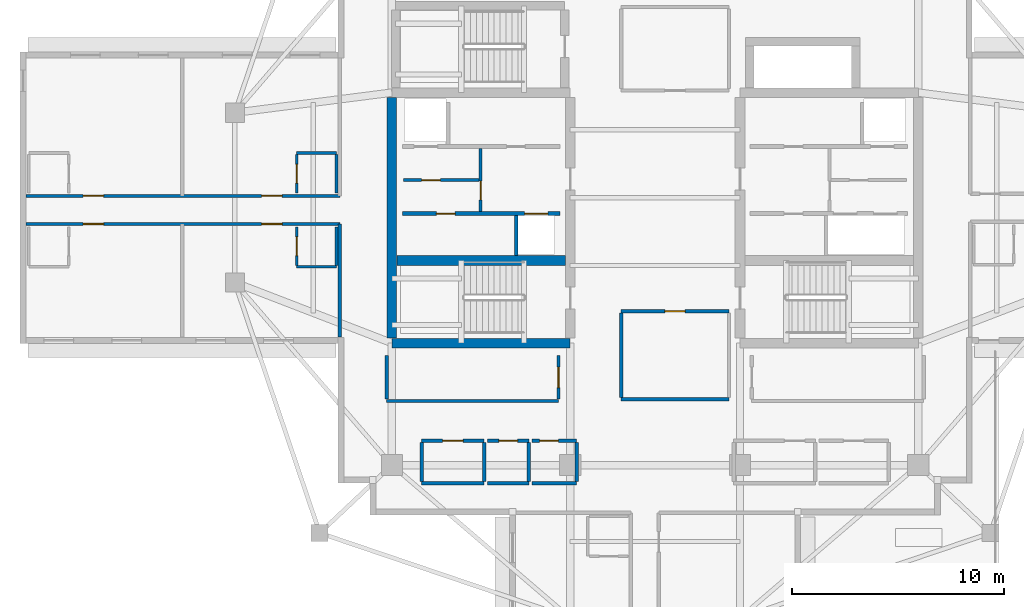
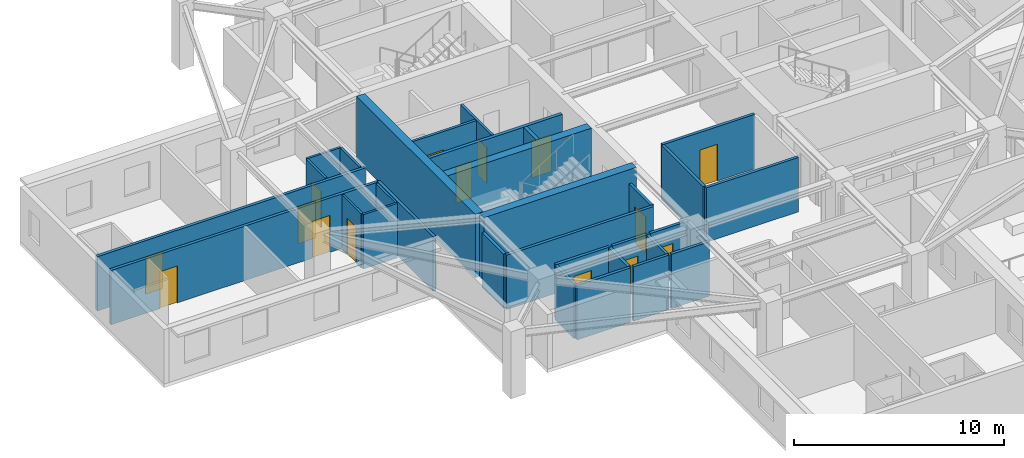
# One storey, part 4 of 13: 32 walls, 15 doors, 15 openings.
"""IFC4 building model written with IfcOpenShell, lengths in metres."""

from ifc_helpers import new_model, si_unit, direction, frame, frame_2d, origin, place, context, subcontext, project, spatial, rectangle, extrude, material, layer, layer_set, type_object, element, fill, save


model = new_model("IFC4")

# Units and contexts
model_context = context("Model", 3, precision=1e-05, world=origin(), true_north=direction((0.0, 1.0)))
body_context = subcontext(model_context, "Body", "Model", "MODEL_VIEW")
ifc_project = project(units=[si_unit("LENGTHUNIT", "METRE"), si_unit("AREAUNIT", "SQUARE_METRE"), si_unit("VOLUMEUNIT", "CUBIC_METRE"), si_unit("PLANEANGLEUNIT", "RADIAN"), si_unit("MASSUNIT", "GRAM", prefix="KILO")], contexts=[model_context])

# Site, building, storey
site_placement = place(None, origin())
site = spatial("IfcSite", under=ifc_project, at=site_placement, CompositionType="ELEMENT")
building_placement = place(site_placement, origin())
building = spatial("IfcBuilding", under=site, at=building_placement, Name="Qingluan Cross Belvedere", CompositionType="ELEMENT")
storey_placement = place(building_placement, frame((0.0, 0.0, 224.699951171875)))
storey = spatial("IfcBuildingStorey", under=building, at=storey_placement, Name="L56", CompositionType="ELEMENT", Elevation=224.699951171875)

# Walls
ifc_material_1 = material(Name="Concrete C50", Category="concrete")
ifc_layer_1 = layer(ifc_material_1, 0.449951171875, Name="CoreShearWall_450")
ifc_layer_set_1 = layer_set([ifc_layer_1], Name="Concrete C50")
wall_type_1 = type_object("IfcWallType", Name="CoreShearWall_450", PredefinedType="SHEAR", material=ifc_layer_set_1)
wall_1_placement = place(storey_placement, frame((-12.39990234375, -6.85009765625, 0.0), z_axis=(0.0, 0.0, 1.0), x_axis=(1.0, 0.0, 0.0)))
element("IfcWall", 1, at=wall_1_placement, inside=storey, type_object=wall_type_1, Name="Split core W shear wall L56-S", PredefinedType="SHEAR", context=body_context, shape_type="SweptSolid", body=[
    extrude(rectangle(XDim=8.39990234375, YDim=0.449951171875, at=frame_2d((4.199951171875, 0.0))), origin(), (0.0, 0.0, 1.0), 3.699951171875),
])
wall_2_placement = place(storey_placement, frame((-12.39990234375, -6.6201171875, 0.0), z_axis=(0.0, 0.0, 1.0), x_axis=(0.0, 1.0, 0.0)))
element("IfcWall", 2, at=wall_2_placement, inside=storey, type_object=wall_type_1, Name="Split core W shear wall L56-W", PredefinedType="SHEAR", context=body_context, shape_type="SweptSolid", body=[
    extrude(rectangle(XDim=11.340087890625, YDim=0.449951171875, at=frame_2d((5.669921875, 0.0))), origin(), (0.0, 0.0, 1.0), 3.699951171875),
])
wall_3_placement = place(storey_placement, frame((-12.169921875, -2.9599609375, 0.0), z_axis=(0.0, 0.0, 1.0), x_axis=(1.0, 0.0, 0.0)))
element("IfcWall", 3, at=wall_3_placement, inside=storey, type_object=wall_type_1, Name="Split core W shear wall L56-M", PredefinedType="SHEAR", context=body_context, shape_type="SweptSolid", body=[
    extrude(rectangle(XDim=7.93994140625, YDim=0.449951171875, at=frame_2d((3.969970703125, 0.0))), origin(), (0.0, 0.0, 1.0), 3.699951171875),
])

# Wall, opening, door
ifc_material_2 = material(Name="Gypsum plasterboard on steel stud acoustic partition", Category="steel")
ifc_layer_2 = layer(ifc_material_2, 0.159912109375, Name="CorridorPartition_160")
ifc_layer_set_2 = layer_set([ifc_layer_2], Name="Gypsum plasterboard on steel stud acoustic partition")
wall_type_2 = type_object("IfcWallType", Name="CorridorPartition_160", PredefinedType="PARTITIONING", material=ifc_layer_set_2)
wall_4_placement = place(storey_placement, frame((-11.85009765625, 0.830078125, 0.0), z_axis=(0.0, 0.0, 1.0), x_axis=(1.0, 0.0, 0.0)))
wall_4 = element("IfcWall", 4, at=wall_4_placement, inside=storey, type_object=wall_type_2, Name="Partition L56:w", PredefinedType="PARTITIONING", context=body_context, shape_type="SweptSolid", body=[
    extrude(rectangle(XDim=3.552001953125, YDim=0.139892578125, at=frame_2d((1.77587890625, 0.0))), origin(), (0.0, 0.0, 1.0), 3.170166015625),
])
opening_1_placement = place(wall_4_placement, frame((0.85009765625, 0.0, 0.0)))
opening_1 = element("IfcOpeningElement", 5, at=opening_1_placement, cuts=wall_4, Name="Opening FD-B10", PredefinedType="OPENING", context=body_context, shape_type="SweptSolid", body=[
    extrude(rectangle(XDim=0.8798828125, YDim=2.10009765625, at=frame_2d((0.43994140625, 1.050048828125))), frame((0.0, 0.079833984375, 0.0), z_axis=(0.0, -1.0, 0.0), x_axis=(1.0, 0.0, 0.0)), (0.0, 0.0, 1.0), 0.159912109375),
])
ifc_material_3 = material(Name="Steel Class B service fire door", Category="steel")
door_type_1 = type_object("IfcDoorType", Name="RiserServiceFireDoor_FDB", OperationType="NOTDEFINED", PredefinedType="DOOR", material=ifc_material_3)
door_1_placement = place(opening_1_placement, origin())
door_1 = element("IfcDoor", 6, at=door_1_placement, inside=storey, type_object=door_type_1, Name="Service closet inner door L56", OperationType="SINGLE_SWING_LEFT", OverallHeight=2.10009765625, OverallWidth=0.8798828125, PredefinedType="DOOR", context=body_context, shape_type="SweptSolid", body=[
    extrude(rectangle(XDim=0.8798828125, YDim=2.10009765625, at=frame_2d((0.43994140625, 1.050048828125))), frame((0.0, 0.02490234375, 0.0), z_axis=(0.0, -1.0, 0.0), x_axis=(1.0, 0.0, 0.0)), (0.0, 0.0, 1.0), 0.050048828125),
])
fill(opening_1, door_1)

# Wall
wall_5_placement = place(storey_placement, frame((-11.0, -13.449951171875, 0.0), z_axis=(0.0, 0.0, 1.0), x_axis=(1.0, 0.0, 0.0)))
element("IfcWall", 7, at=wall_5_placement, inside=storey, type_object=wall_type_2, Name="Partition L56:q_sw_occ:S", PredefinedType="PARTITIONING", context=body_context, shape_type="SweptSolid", body=[
    extrude(rectangle(XDim=2.949951171875, YDim=0.159912109375, at=frame_2d((1.47509765625, 0.0))), origin(), (0.0, 0.0, 1.0), 3.170166015625),
])

# Wall, opening, door
wall_6_placement = place(storey_placement, frame((-11.0, -11.449951171875, 0.0), z_axis=(0.0, 0.0, 1.0), x_axis=(1.0, 0.0, 0.0)))
wall_6 = element("IfcWall", 8, at=wall_6_placement, inside=storey, type_object=wall_type_2, Name="Partition L56:q_sw_occ:N", PredefinedType="PARTITIONING", context=body_context, shape_type="SweptSolid", body=[
    extrude(rectangle(XDim=2.949951171875, YDim=0.159912109375, at=frame_2d((1.47509765625, 0.0))), origin(), (0.0, 0.0, 1.0), 3.170166015625),
])
opening_2_placement = place(wall_6_placement, frame((0.9951171875, 0.0, 0.0)))
opening_2 = element("IfcOpeningElement", 9, at=opening_2_placement, cuts=wall_6, Name="Opening GD-10", PredefinedType="OPENING", context=body_context, shape_type="SweptSolid", body=[
    extrude(rectangle(XDim=0.9599609375, YDim=2.14990234375, at=frame_2d((0.47998046875, 1.074951171875))), frame((0.0, 0.08984375, 0.0), z_axis=(0.0, -1.0, 0.0), x_axis=(1.0, 0.0, 0.0)), (0.0, 0.0, 1.0), 0.179931640625),
])
ifc_material_4 = material(Name="Timber oak fire-rated acoustic guestroom door", Category="wood")
door_type_2 = type_object("IfcDoorType", Name="GuestEntryDoor_FD60", OperationType="NOTDEFINED", PredefinedType="DOOR", material=ifc_material_4)
door_2_placement = place(opening_2_placement, origin())
door_2 = element("IfcDoor", 10, at=door_2_placement, inside=storey, type_object=door_type_2, Name="Thermal spa suite L56 door", OperationType="SINGLE_SWING_RIGHT", OverallHeight=2.14990234375, OverallWidth=0.9599609375, PredefinedType="DOOR", context=body_context, shape_type="SweptSolid", body=[
    extrude(rectangle(XDim=0.9599609375, YDim=2.14990234375, at=frame_2d((0.47998046875, 1.074951171875))), frame((0.0, 0.02490234375, 0.0), z_axis=(0.0, -1.0, 0.0), x_axis=(1.0, 0.0, 0.0)), (0.0, 0.0, 1.0), 0.050048828125),
])
fill(opening_2, door_2)

# Walls
for number, where, z_axis, x_axis, name in (
    (11, (-11.0, -13.364990234375, 0.0), (0.0, 0.0, 1.0), (0.0, 1.0, 0.0), "Partition L56:q_sw_occ:W"),
    (12, (-8.050048828125, -13.364990234375, 0.0), (0.0, 0.0, 1.0), (0.0, 1.0, 0.0), "Partition L56:q_sw_occ:E"),
):
    element("IfcWall", number, at=place(storey_placement, frame(where, z_axis=z_axis, x_axis=x_axis)), inside=storey, type_object=wall_type_2, Name=name, PredefinedType="PARTITIONING", context=body_context, shape_type="SweptSolid", body=[
        extrude(rectangle(XDim=1.830078125, YDim=0.159912109375, at=frame_2d((0.9150390625, 0.0))), origin(), (0.0, 0.0, 1.0), 3.170166015625),
    ])
wall_7_placement = place(storey_placement, frame((-7.889892578125, -13.449951171875, 0.0), z_axis=(0.0, 0.0, 1.0), x_axis=(1.0, 0.0, 0.0)))
element("IfcWall", 13, at=wall_7_placement, inside=storey, type_object=wall_type_2, Name="Partition L56:hk_linen:S", PredefinedType="PARTITIONING", context=body_context, shape_type="SweptSolid", body=[
    extrude(rectangle(XDim=1.93994140625, YDim=0.159912109375, at=frame_2d((0.969970703125, 0.0))), origin(), (0.0, 0.0, 1.0), 3.170166015625),
])

# Wall, opening, door
wall_8_placement = place(storey_placement, frame((-7.889892578125, -11.449951171875, 0.0), z_axis=(0.0, 0.0, 1.0), x_axis=(1.0, 0.0, 0.0)))
wall_8 = element("IfcWall", 14, at=wall_8_placement, inside=storey, type_object=wall_type_2, Name="Partition L56:hk_linen:N", PredefinedType="PARTITIONING", context=body_context, shape_type="SweptSolid", body=[
    extrude(rectangle(XDim=1.93994140625, YDim=0.159912109375, at=frame_2d((0.969970703125, 0.0))), origin(), (0.0, 0.0, 1.0), 3.170166015625),
])
opening_3_placement = place(wall_8_placement, frame((0.530029296875, 0.0, 0.0)))
opening_3 = element("IfcOpeningElement", 15, at=opening_3_placement, cuts=wall_8, Name="Opening FD-B10", PredefinedType="OPENING", context=body_context, shape_type="SweptSolid", body=[
    extrude(rectangle(XDim=0.8798828125, YDim=2.10009765625, at=frame_2d((0.43994140625, 1.050048828125))), frame((0.0, 0.08984375, 0.0), z_axis=(0.0, -1.0, 0.0), x_axis=(1.0, 0.0, 0.0)), (0.0, 0.0, 1.0), 0.179931640625),
])
door_3_placement = place(opening_3_placement, origin())
door_3 = element("IfcDoor", 16, at=door_3_placement, inside=storey, type_object=door_type_1, Name="Housekeeping and linen store L56 door", OperationType="SINGLE_SWING_LEFT", OverallHeight=2.10009765625, OverallWidth=0.8798828125, PredefinedType="DOOR", context=body_context, shape_type="SweptSolid", body=[
    extrude(rectangle(XDim=0.8798828125, YDim=2.10009765625, at=frame_2d((0.43994140625, 1.050048828125))), frame((0.0, 0.02490234375, 0.0), z_axis=(0.0, -1.0, 0.0), x_axis=(1.0, 0.0, 0.0)), (0.0, 0.0, 1.0), 0.050048828125),
])
fill(opening_3, door_3)

# Walls
wall_9_placement = place(storey_placement, frame((-5.949951171875, -13.364990234375, 0.0), z_axis=(0.0, 0.0, 1.0), x_axis=(0.0, 1.0, 0.0)))
element("IfcWall", 17, at=wall_9_placement, inside=storey, type_object=wall_type_2, Name="Partition L56:hk_linen:E", PredefinedType="PARTITIONING", context=body_context, shape_type="SweptSolid", body=[
    extrude(rectangle(XDim=1.830078125, YDim=0.159912109375, at=frame_2d((0.9150390625, 0.0))), origin(), (0.0, 0.0, 1.0), 3.170166015625),
])
wall_10_placement = place(storey_placement, frame((-5.7900390625, -13.449951171875, 0.0), z_axis=(0.0, 0.0, 1.0), x_axis=(1.0, 0.0, 0.0)))
element("IfcWall", 18, at=wall_10_placement, inside=storey, type_object=wall_type_2, Name="Partition L56:floor_acc_wc:S", PredefinedType="PARTITIONING", context=body_context, shape_type="SweptSolid", body=[
    extrude(rectangle(XDim=2.090087890625, YDim=0.159912109375, at=frame_2d((1.044921875, 0.0))), origin(), (0.0, 0.0, 1.0), 3.170166015625),
])

# Wall, opening, door
wall_11_placement = place(storey_placement, frame((-5.7900390625, -11.449951171875, 0.0), z_axis=(0.0, 0.0, 1.0), x_axis=(1.0, 0.0, 0.0)))
wall_11 = element("IfcWall", 19, at=wall_11_placement, inside=storey, type_object=wall_type_2, Name="Partition L56:floor_acc_wc:N", PredefinedType="PARTITIONING", context=body_context, shape_type="SweptSolid", body=[
    extrude(rectangle(XDim=2.090087890625, YDim=0.159912109375, at=frame_2d((1.044921875, 0.0))), origin(), (0.0, 0.0, 1.0), 3.170166015625),
])
opening_4_placement = place(wall_11_placement, frame((0.35009765625, 0.0, 0.0)))
opening_4 = element("IfcOpeningElement", 20, at=opening_4_placement, cuts=wall_11, Name="Opening BD-08", PredefinedType="OPENING", context=body_context, shape_type="SweptSolid", body=[
    extrude(rectangle(XDim=0.8798828125, YDim=2.14990234375, at=frame_2d((0.43994140625, 1.074951171875))), frame((0.0, 0.08984375, 0.0), z_axis=(0.0, -1.0, 0.0), x_axis=(1.0, 0.0, 0.0)), (0.0, 0.0, 1.0), 0.179931640625),
])
ifc_material_5 = material(Name="Moisture-sealed timber accessible WC door", Category="wood")
door_type_3 = type_object("IfcDoorType", Name="AccessibleWCDoor_880", OperationType="NOTDEFINED", PredefinedType="DOOR", material=ifc_material_5)
door_4_placement = place(opening_4_placement, origin())
door_4 = element("IfcDoor", 21, at=door_4_placement, inside=storey, type_object=door_type_3, Name="Accessible guest washroom L56 door", OperationType="SINGLE_SWING_RIGHT", OverallHeight=2.14990234375, OverallWidth=0.8798828125, PredefinedType="DOOR", context=body_context, shape_type="SweptSolid", body=[
    extrude(rectangle(XDim=0.8798828125, YDim=2.14990234375, at=frame_2d((0.43994140625, 1.074951171875))), frame((0.0, 0.02490234375, 0.0), z_axis=(0.0, -1.0, 0.0), x_axis=(1.0, 0.0, 0.0)), (0.0, 0.0, 1.0), 0.050048828125),
])
fill(opening_4, door_4)

# Walls
wall_12_placement = place(storey_placement, frame((-3.699951171875, -13.364990234375, 0.0), z_axis=(0.0, 0.0, 1.0), x_axis=(0.0, 1.0, 0.0)))
element("IfcWall", 22, at=wall_12_placement, inside=storey, type_object=wall_type_2, Name="Partition L56:floor_acc_wc:E", PredefinedType="PARTITIONING", context=body_context, shape_type="SweptSolid", body=[
    extrude(rectangle(XDim=1.830078125, YDim=0.159912109375, at=frame_2d((0.9150390625, 0.0))), origin(), (0.0, 0.0, 1.0), 3.170166015625),
])
wall_13_placement = place(storey_placement, frame((-1.60009765625, -9.5, 0.0), z_axis=(0.0, 0.0, 1.0), x_axis=(1.0, 0.0, 0.0)))
element("IfcWall", 23, at=wall_13_placement, inside=storey, type_object=wall_type_2, Name="Partition L56:sky_south_alcove:S", PredefinedType="PARTITIONING", context=body_context, shape_type="SweptSolid", body=[
    extrude(rectangle(XDim=5.080078125, YDim=0.159912109375, at=frame_2d((2.5400390625, 0.0))), origin(), (0.0, 0.0, 1.0), 3.170166015625),
])

# Wall, opening, door
wall_14_placement = place(storey_placement, frame((-1.60009765625, -5.35009765625, 0.0), z_axis=(0.0, 0.0, 1.0), x_axis=(1.0, 0.0, 0.0)))
wall_14 = element("IfcWall", 24, at=wall_14_placement, inside=storey, type_object=wall_type_2, Name="Partition L56:sky_south_alcove:N", PredefinedType="PARTITIONING", context=body_context, shape_type="SweptSolid", body=[
    extrude(rectangle(XDim=5.080078125, YDim=0.159912109375, at=frame_2d((2.5400390625, 0.0))), origin(), (0.0, 0.0, 1.0), 3.170166015625),
])
opening_5_placement = place(wall_14_placement, frame((2.06005859375, 0.0, 0.0)))
opening_5 = element("IfcOpeningElement", 25, at=opening_5_placement, cuts=wall_14, Name="Opening GD-10", PredefinedType="OPENING", context=body_context, shape_type="SweptSolid", body=[
    extrude(rectangle(XDim=0.9599609375, YDim=2.14990234375, at=frame_2d((0.47998046875, 1.074951171875))), frame((0.0, 0.08984375, 0.0), z_axis=(0.0, -1.0, 0.0), x_axis=(1.0, 0.0, 0.0)), (0.0, 0.0, 1.0), 0.179931640625),
])
door_5_placement = place(opening_5_placement, origin())
door_5 = element("IfcDoor", 26, at=door_5_placement, inside=storey, type_object=door_type_2, Name="South horizon reading alcove L56 door", OperationType="SINGLE_SWING_RIGHT", OverallHeight=2.14990234375, OverallWidth=0.9599609375, PredefinedType="DOOR", context=body_context, shape_type="SweptSolid", body=[
    extrude(rectangle(XDim=0.9599609375, YDim=2.14990234375, at=frame_2d((0.47998046875, 1.074951171875))), frame((0.0, 0.02490234375, 0.0), z_axis=(0.0, -1.0, 0.0), x_axis=(1.0, 0.0, 0.0)), (0.0, 0.0, 1.0), 0.050048828125),
])
fill(opening_5, door_5)

# Walls
wall_15_placement = place(storey_placement, frame((-1.60009765625, -9.4150390625, 0.0), z_axis=(0.0, 0.0, 1.0), x_axis=(0.0, 1.0, 0.0)))
element("IfcWall", 27, at=wall_15_placement, inside=storey, type_object=wall_type_2, Name="Partition L56:sky_south_alcove:W", PredefinedType="PARTITIONING", context=body_context, shape_type="SweptSolid", body=[
    extrude(rectangle(XDim=3.97998046875, YDim=0.159912109375, at=frame_2d((1.989990234375, 0.0))), origin(), (0.0, 0.0, 1.0), 3.170166015625),
])
wall_16_placement = place(storey_placement, frame((-12.64990234375, -9.580078125, 0.0), z_axis=(0.0, 0.0, 1.0), x_axis=(1.0, 0.0, 0.0)))
element("IfcWall", 28, at=wall_16_placement, inside=storey, type_object=wall_type_2, Name="Partition L56:rec_st4_w:S", PredefinedType="PARTITIONING", context=body_context, shape_type="SweptSolid", body=[
    extrude(rectangle(XDim=8.099853515625, YDim=0.159912109375, at=frame_2d((4.0498046875, 0.0))), origin(), (0.0, 0.0, 1.0), 3.170166015625),
])
wall_17_placement = place(storey_placement, frame((-12.64990234375, -9.4951171875, 0.0), z_axis=(0.0, 0.0, 1.0), x_axis=(0.0, 1.0, 0.0)))
element("IfcWall", 29, at=wall_17_placement, inside=storey, type_object=wall_type_2, Name="Partition L56:rec_st4_w:W", PredefinedType="PARTITIONING", context=body_context, shape_type="SweptSolid", body=[
    extrude(rectangle(XDim=2.06005859375, YDim=0.159912109375, at=frame_2d((1.030029296875, 0.0))), origin(), (0.0, 0.0, 1.0), 3.170166015625),
])

# Wall, opening, door
wall_18_placement = place(storey_placement, frame((-4.550048828125, -9.4951171875, 0.0), z_axis=(0.0, 0.0, 1.0), x_axis=(0.0, 1.0, 0.0)))
wall_18 = element("IfcWall", 30, at=wall_18_placement, inside=storey, type_object=wall_type_2, Name="Partition L56:rec_st4_w:E", PredefinedType="PARTITIONING", context=body_context, shape_type="SweptSolid", body=[
    extrude(rectangle(XDim=2.06005859375, YDim=0.159912109375, at=frame_2d((1.030029296875, 0.0))), origin(), (0.0, 0.0, 1.0), 3.170166015625),
])
opening_6_placement = place(wall_18_placement, frame((0.550048828125, 0.0, 0.0)))
opening_6 = element("IfcOpeningElement", 31, at=opening_6_placement, cuts=wall_18, Name="Opening GD-10", PredefinedType="OPENING", context=body_context, shape_type="SweptSolid", body=[
    extrude(rectangle(XDim=0.9599609375, YDim=2.14990234375, at=frame_2d((0.47998046875, 1.074951171875))), frame((0.0, 0.08984375, 0.0), z_axis=(0.0, -1.0, 0.0), x_axis=(1.0, 0.0, 0.0)), (0.0, 0.0, 1.0), 0.179931640625),
])
door_6_placement = place(opening_6_placement, origin())
door_6 = element("IfcDoor", 32, at=door_6_placement, inside=storey, type_object=door_type_2, Name="Southwest club reading room L56 door", OperationType="SINGLE_SWING_RIGHT", OverallHeight=2.14990234375, OverallWidth=0.9599609375, PredefinedType="DOOR", context=body_context, shape_type="SweptSolid", body=[
    extrude(rectangle(XDim=0.9599609375, YDim=2.14990234375, at=frame_2d((0.47998046875, 1.074951171875))), frame((0.0, 0.02490234375, 0.0), z_axis=(0.0, -1.0, 0.0), x_axis=(1.0, 0.0, 0.0)), (0.0, 0.0, 1.0), 0.050048828125),
])
fill(opening_6, door_6)

# Wall, openings, doors
wall_19_placement = place(storey_placement, frame((-14.85009765625, 0.080078125, 0.0), z_axis=(0.0, 0.0, 1.0), x_axis=(-1.0, 0.0, 0.0)))
wall_19 = element("IfcWall", 33, at=wall_19_placement, inside=storey, type_object=wall_type_2, Name="Partition L56:W:c0", PredefinedType="PARTITIONING", context=body_context, shape_type="SweptSolid", body=[
    extrude(rectangle(XDim=14.781982421875, YDim=0.159912109375, at=frame_2d((7.39111328125, 0.0))), origin(), (0.0, 0.0, 1.0), 3.170166015625),
])
opening_7_placement = place(wall_19_placement, frame((2.721923828125, 0.0, 0.0)))
opening_7 = element("IfcOpeningElement", 34, at=opening_7_placement, cuts=wall_19, Name="Opening GD-10", PredefinedType="OPENING", context=body_context, shape_type="SweptSolid", body=[
    extrude(rectangle(XDim=0.9599609375, YDim=2.14990234375, at=frame_2d((0.47998046875, 1.074951171875))), frame((0.0, 0.08984375, 0.0), z_axis=(0.0, -1.0, 0.0), x_axis=(1.0, 0.0, 0.0)), (0.0, 0.0, 1.0), 0.179931640625),
])
opening_8_placement = place(wall_19_placement, frame((11.131103515625, 0.0, 0.0)))
opening_8 = element("IfcOpeningElement", 35, at=opening_8_placement, cuts=wall_19, Name="Opening GD-10", PredefinedType="OPENING", context=body_context, shape_type="SweptSolid", body=[
    extrude(rectangle(XDim=0.9599609375, YDim=2.14990234375, at=frame_2d((0.47998046875, 1.074951171875))), frame((0.0, 0.08984375, 0.0), z_axis=(0.0, -1.0, 0.0), x_axis=(1.0, 0.0, 0.0)), (0.0, 0.0, 1.0), 0.179931640625),
])
door_7_placement = place(opening_7_placement, origin())
door_7 = element("IfcDoor", 36, at=door_7_placement, inside=storey, type_object=door_type_2, Name="Guest entry fire door 5605", OperationType="SINGLE_SWING_LEFT", OverallHeight=2.14990234375, OverallWidth=0.9599609375, PredefinedType="DOOR", context=body_context, shape_type="SweptSolid", body=[
    extrude(rectangle(XDim=0.9599609375, YDim=2.14990234375, at=frame_2d((0.47998046875, 1.074951171875))), frame((0.0, 0.02490234375, 0.0), z_axis=(0.0, -1.0, 0.0), x_axis=(1.0, 0.0, 0.0)), (0.0, 0.0, 1.0), 0.050048828125),
])
fill(opening_7, door_7)
door_8_placement = place(opening_8_placement, origin())
door_8 = element("IfcDoor", 37, at=door_8_placement, inside=storey, type_object=door_type_2, Name="Guest entry fire door 5606", OperationType="SINGLE_SWING_LEFT", OverallHeight=2.14990234375, OverallWidth=0.9599609375, PredefinedType="DOOR", context=body_context, shape_type="SweptSolid", body=[
    extrude(rectangle(XDim=0.9599609375, YDim=2.14990234375, at=frame_2d((0.47998046875, 1.074951171875))), frame((0.0, 0.02490234375, 0.0), z_axis=(0.0, -1.0, 0.0), x_axis=(1.0, 0.0, 0.0)), (0.0, 0.0, 1.0), 0.050048828125),
])
fill(opening_8, door_8)

wall_20_placement = place(storey_placement, frame((-14.85009765625, -1.239990234375, 0.0), z_axis=(0.0, 0.0, 1.0), x_axis=(-1.0, 0.0, 0.0)))
wall_20 = element("IfcWall", 38, at=wall_20_placement, inside=storey, type_object=wall_type_2, Name="Partition L56:W:c1", PredefinedType="PARTITIONING", context=body_context, shape_type="SweptSolid", body=[
    extrude(rectangle(XDim=14.781982421875, YDim=0.159912109375, at=frame_2d((7.39111328125, 0.0))), origin(), (0.0, 0.0, 1.0), 3.170166015625),
])
opening_9_placement = place(wall_20_placement, frame((2.721923828125, 0.0, 0.0)))
opening_9 = element("IfcOpeningElement", 39, at=opening_9_placement, cuts=wall_20, Name="Opening GD-10", PredefinedType="OPENING", context=body_context, shape_type="SweptSolid", body=[
    extrude(rectangle(XDim=0.9599609375, YDim=2.14990234375, at=frame_2d((0.47998046875, 1.074951171875))), frame((0.0, 0.08984375, 0.0), z_axis=(0.0, -1.0, 0.0), x_axis=(1.0, 0.0, 0.0)), (0.0, 0.0, 1.0), 0.179931640625),
])
opening_10_placement = place(wall_20_placement, frame((11.131103515625, 0.0, 0.0)))
opening_10 = element("IfcOpeningElement", 40, at=opening_10_placement, cuts=wall_20, Name="Opening GD-10", PredefinedType="OPENING", context=body_context, shape_type="SweptSolid", body=[
    extrude(rectangle(XDim=0.9599609375, YDim=2.14990234375, at=frame_2d((0.47998046875, 1.074951171875))), frame((0.0, 0.08984375, 0.0), z_axis=(0.0, -1.0, 0.0), x_axis=(1.0, 0.0, 0.0)), (0.0, 0.0, 1.0), 0.179931640625),
])
door_9_placement = place(opening_9_placement, origin())
door_9 = element("IfcDoor", 41, at=door_9_placement, inside=storey, type_object=door_type_2, Name="Guest entry fire door 5607", OperationType="SINGLE_SWING_LEFT", OverallHeight=2.14990234375, OverallWidth=0.9599609375, PredefinedType="DOOR", context=body_context, shape_type="SweptSolid", body=[
    extrude(rectangle(XDim=0.9599609375, YDim=2.14990234375, at=frame_2d((0.47998046875, 1.074951171875))), frame((0.0, 0.02490234375, 0.0), z_axis=(0.0, -1.0, 0.0), x_axis=(1.0, 0.0, 0.0)), (0.0, 0.0, 1.0), 0.050048828125),
])
fill(opening_9, door_9)
door_10_placement = place(opening_10_placement, origin())
door_10 = element("IfcDoor", 42, at=door_10_placement, inside=storey, type_object=door_type_2, Name="Guest entry fire door 5608", OperationType="SINGLE_SWING_LEFT", OverallHeight=2.14990234375, OverallWidth=0.9599609375, PredefinedType="DOOR", context=body_context, shape_type="SweptSolid", body=[
    extrude(rectangle(XDim=0.9599609375, YDim=2.14990234375, at=frame_2d((0.47998046875, 1.074951171875))), frame((0.0, 0.02490234375, 0.0), z_axis=(0.0, -1.0, 0.0), x_axis=(1.0, 0.0, 0.0)), (0.0, 0.0, 1.0), 0.050048828125),
])
fill(opening_10, door_10)

# Wall
wall_21_placement = place(storey_placement, frame((-14.85009765625, -1.239990234375, 0.0), z_axis=(0.0, 0.0, 1.0), x_axis=(0.0, -1.0, 0.0)))
element("IfcWall", 43, at=wall_21_placement, inside=storey, type_object=wall_type_2, Name="Partition L56:W:s1", PredefinedType="PARTITIONING", context=body_context, shape_type="SweptSolid", body=[
    extrude(rectangle(XDim=5.33203125, YDim=0.159912109375, at=frame_2d((2.666015625, 0.0))), origin(), (0.0, 0.0, 1.0), 3.170166015625),
])

# Wall, opening, door
ifc_material_6 = material(Name="Moisture-resistant gypsum board lining")
ifc_layer_3 = layer(ifc_material_6, 0.1201171875, Name="EnsuiteWetPartition_120")
ifc_layer_set_3 = layer_set([ifc_layer_3], Name="Moisture-resistant gypsum board lining")
wall_type_3 = type_object("IfcWallType", Name="EnsuiteWetPartition_120", PredefinedType="PARTITIONING", material=ifc_layer_set_3)
wall_22_placement = place(storey_placement, frame((-16.889892578125, 0.219970703125, 0.0), z_axis=(0.0, 0.0, 1.0), x_axis=(0.0, 1.0, 0.0)))
wall_22 = element("IfcWall", 44, at=wall_22_placement, inside=storey, type_object=wall_type_3, Name="Partition L56:W:bs0_0", PredefinedType="PARTITIONING", context=body_context, shape_type="SweptSolid", body=[
    extrude(rectangle(XDim=1.820068359375, YDim=0.1201171875, at=frame_2d((0.91015625, 0.0))), origin(), (0.0, 0.0, 1.0), 3.170166015625),
])
opening_11_placement = place(wall_22_placement, frame((0.469970703125, 0.0, 0.0)))
opening_11 = element("IfcOpeningElement", 45, at=opening_11_placement, cuts=wall_22, Name="Opening BD-09", PredefinedType="OPENING", context=body_context, shape_type="SweptSolid", body=[
    extrude(rectangle(XDim=0.8798828125, YDim=2.10009765625, at=frame_2d((0.43994140625, 1.050048828125))), frame((0.0, 0.070068359375, 0.0), z_axis=(0.0, -1.0, 0.0), x_axis=(1.0, 0.0, 0.0)), (0.0, 0.0, 1.0), 0.14013671875),
])
ifc_material_7 = material(Name="Moisture-sealed timber en-suite door", Category="wood")
door_type_4 = type_object("IfcDoorType", Name="BathroomDoor_880", OperationType="NOTDEFINED", PredefinedType="DOOR", material=ifc_material_7)
door_11_placement = place(opening_11_placement, origin())
door_11 = element("IfcDoor", 46, at=door_11_placement, inside=storey, type_object=door_type_4, Name="Bathroom door 5605", OperationType="SINGLE_SWING_RIGHT", OverallHeight=2.10009765625, OverallWidth=0.8798828125, PredefinedType="DOOR", context=body_context, shape_type="SweptSolid", body=[
    extrude(rectangle(XDim=0.8798828125, YDim=2.10009765625, at=frame_2d((0.43994140625, 1.050048828125))), frame((0.0, 0.02490234375, 0.0), z_axis=(0.0, -1.0, 0.0), x_axis=(1.0, 0.0, 0.0)), (0.0, 0.0, 1.0), 0.050048828125),
])
fill(opening_11, door_11)

# Walls
wall_23_placement = place(storey_placement, frame((-15.010009765625, 0.219970703125, 0.0), z_axis=(0.0, 0.0, 1.0), x_axis=(0.0, 1.0, 0.0)))
element("IfcWall", 47, at=wall_23_placement, inside=storey, type_object=wall_type_3, Name="Partition L56:W:bw0_0", PredefinedType="PARTITIONING", context=body_context, shape_type="SweptSolid", body=[
    extrude(rectangle(XDim=1.820068359375, YDim=0.1201171875, at=frame_2d((0.91015625, 0.0))), origin(), (0.0, 0.0, 1.0), 3.170166015625),
])
wall_24_placement = place(storey_placement, frame((-15.010009765625, 2.10498046875, 0.0), z_axis=(0.0, 0.0, 1.0), x_axis=(-1.0, 0.0, 0.0)))
element("IfcWall", 48, at=wall_24_placement, inside=storey, type_object=wall_type_3, Name="Partition L56:W:bn0_0", PredefinedType="PARTITIONING", context=body_context, shape_type="SweptSolid", body=[
    extrude(rectangle(XDim=1.8798828125, YDim=0.1201171875, at=frame_2d((0.93994140625, 0.0))), origin(), (0.0, 0.0, 1.0), 3.170166015625),
])

# Wall, opening, door
wall_25_placement = place(storey_placement, frame((-16.889892578125, -3.199951171875, 0.0), z_axis=(0.0, 0.0, 1.0), x_axis=(0.0, 1.0, 0.0)))
wall_25 = element("IfcWall", 49, at=wall_25_placement, inside=storey, type_object=wall_type_3, Name="Partition L56:W:bs1_0", PredefinedType="PARTITIONING", context=body_context, shape_type="SweptSolid", body=[
    extrude(rectangle(XDim=1.820068359375, YDim=0.1201171875, at=frame_2d((0.91015625, 0.0))), origin(), (0.0, 0.0, 1.0), 3.170166015625),
])
opening_12_placement = place(wall_25_placement, frame((0.469970703125, 0.0, 0.0)))
opening_12 = element("IfcOpeningElement", 50, at=opening_12_placement, cuts=wall_25, Name="Opening BD-09", PredefinedType="OPENING", context=body_context, shape_type="SweptSolid", body=[
    extrude(rectangle(XDim=0.8798828125, YDim=2.10009765625, at=frame_2d((0.43994140625, 1.050048828125))), frame((0.0, 0.070068359375, 0.0), z_axis=(0.0, -1.0, 0.0), x_axis=(1.0, 0.0, 0.0)), (0.0, 0.0, 1.0), 0.14013671875),
])
door_12_placement = place(opening_12_placement, origin())
door_12 = element("IfcDoor", 51, at=door_12_placement, inside=storey, type_object=door_type_4, Name="Bathroom door 5607", OperationType="SINGLE_SWING_RIGHT", OverallHeight=2.10009765625, OverallWidth=0.8798828125, PredefinedType="DOOR", context=body_context, shape_type="SweptSolid", body=[
    extrude(rectangle(XDim=0.8798828125, YDim=2.10009765625, at=frame_2d((0.43994140625, 1.050048828125))), frame((0.0, 0.02490234375, 0.0), z_axis=(0.0, -1.0, 0.0), x_axis=(1.0, 0.0, 0.0)), (0.0, 0.0, 1.0), 0.050048828125),
])
fill(opening_12, door_12)

# Walls
wall_26_placement = place(storey_placement, frame((-15.010009765625, -3.199951171875, 0.0), z_axis=(0.0, 0.0, 1.0), x_axis=(0.0, 1.0, 0.0)))
element("IfcWall", 52, at=wall_26_placement, inside=storey, type_object=wall_type_3, Name="Partition L56:W:bw1_0", PredefinedType="PARTITIONING", context=body_context, shape_type="SweptSolid", body=[
    extrude(rectangle(XDim=1.820068359375, YDim=0.1201171875, at=frame_2d((0.91015625, 0.0))), origin(), (0.0, 0.0, 1.0), 3.170166015625),
])
wall_27_placement = place(storey_placement, frame((-15.010009765625, -3.264892578125, 0.0), z_axis=(0.0, 0.0, 1.0), x_axis=(-1.0, 0.0, 0.0)))
element("IfcWall", 53, at=wall_27_placement, inside=storey, type_object=wall_type_3, Name="Partition L56:W:bc1_0", PredefinedType="PARTITIONING", context=body_context, shape_type="SweptSolid", body=[
    extrude(rectangle(XDim=1.8798828125, YDim=0.1201171875, at=frame_2d((0.93994140625, 0.0))), origin(), (0.0, 0.0, 1.0), 3.170166015625),
])

# Wall, openings, doors
ifc_material_8 = material(Name="Concrete C40", Category="concrete")
ifc_layer_4 = layer(ifc_material_8, 0.219970703125, Name="ShaftEnclosureWall_250")
ifc_layer_set_4 = layer_set([ifc_layer_4], Name="Concrete C40")
wall_type_4 = type_object("IfcWallType", Name="ShaftEnclosureWall_250", PredefinedType="SOLIDWALL", material=ifc_layer_set_4)
wall_28_placement = place(storey_placement, frame((-11.89990234375, -0.75, 0.0), z_axis=(0.0, 0.0, 1.0), x_axis=(1.0, 0.0, 0.0)))
wall_28 = element("IfcWall", 54, at=wall_28_placement, inside=storey, type_object=wall_type_4, Name="Core-W mid hoistway wall L56", PredefinedType="SOLIDWALL", context=body_context, shape_type="SweptSolid", body=[
    extrude(rectangle(XDim=7.419921875, YDim=0.179931640625, at=frame_2d((3.7099609375, 0.0))), origin(), (0.0, 0.0, 1.0), 3.170166015625),
])
opening_13_placement = place(wall_28_placement, frame((5.75, 0.0, 0.0)))
opening_13 = element("IfcOpeningElement", 55, at=opening_13_placement, cuts=wall_28, Name="Opening LD-11", PredefinedType="OPENING", context=body_context, shape_type="SweptSolid", body=[
    extrude(rectangle(XDim=1.10009765625, YDim=2.14990234375, at=frame_2d((0.550048828125, 1.074951171875))), frame((0.0, 0.099853515625, 0.0), z_axis=(0.0, -1.0, 0.0), x_axis=(1.0, 0.0, 0.0)), (0.0, 0.0, 1.0), 0.199951171875),
])
opening_14_placement = place(wall_28_placement, frame((1.60009765625, 0.0, 0.0)))
opening_14 = element("IfcOpeningElement", 56, at=opening_14_placement, cuts=wall_28, Name="Opening FD-B10", PredefinedType="OPENING", context=body_context, shape_type="SweptSolid", body=[
    extrude(rectangle(XDim=0.8798828125, YDim=2.10009765625, at=frame_2d((0.43994140625, 1.050048828125))), frame((0.0, 0.099853515625, 0.0), z_axis=(0.0, -1.0, 0.0), x_axis=(1.0, 0.0, 0.0)), (0.0, 0.0, 1.0), 0.199951171875),
])
ifc_material_9 = material(Name="Brushed stainless steel centre-opening lift landing door", Category="steel")
door_type_5 = type_object("IfcDoorType", Name="LiftLandingSlidingDoor_1100", OperationType="DOUBLE_DOOR_SLIDING", PredefinedType="DOOR", material=ifc_material_9)
door_13_placement = place(opening_13_placement, origin())
door_13 = element("IfcDoor", 57, at=door_13_placement, inside=storey, type_object=door_type_5, Name="Lift landing sliding door LP8 L56", OperationType="DOUBLE_DOOR_SLIDING", OverallHeight=2.14990234375, OverallWidth=1.10009765625, PredefinedType="DOOR", context=body_context, shape_type="SweptSolid", body=[
    extrude(rectangle(XDim=1.10009765625, YDim=2.14990234375, at=frame_2d((0.550048828125, 1.074951171875))), frame((0.0, 0.02490234375, 0.0), z_axis=(0.0, -1.0, 0.0), x_axis=(1.0, 0.0, 0.0)), (0.0, 0.0, 1.0), 0.050048828125),
])
fill(opening_13, door_13)
door_14_placement = place(opening_14_placement, origin())
door_14 = element("IfcDoor", 58, at=door_14_placement, inside=storey, type_object=door_type_1, Name="Upper-zone electrical room door L56", OperationType="SINGLE_SWING_LEFT", OverallHeight=2.10009765625, OverallWidth=0.8798828125, PredefinedType="DOOR", context=body_context, shape_type="SweptSolid", body=[
    extrude(rectangle(XDim=0.8798828125, YDim=2.10009765625, at=frame_2d((0.43994140625, 1.050048828125))), frame((0.0, 0.02490234375, 0.0), z_axis=(0.0, -1.0, 0.0), x_axis=(1.0, 0.0, 0.0)), (0.0, 0.0, 1.0), 0.050048828125),
])
fill(opening_14, door_14)

# Wall
wall_29_placement = place(storey_placement, frame((-6.5400390625, -2.72998046875, 0.0), z_axis=(0.0, 0.0, 1.0), x_axis=(0.0, 1.0, 0.0)))
element("IfcWall", 59, at=wall_29_placement, inside=storey, type_object=wall_type_4, Name="Hoistway enclosure divider LP8W L56", PredefinedType="SOLIDWALL", context=body_context, shape_type="SweptSolid", body=[
    extrude(rectangle(XDim=1.889892578125, YDim=0.179931640625, at=frame_2d((0.94482421875, 0.0))), origin(), (0.0, 0.0, 1.0), 3.170166015625),
])

# Wall, opening, door
wall_30_placement = place(storey_placement, frame((-8.219970703125, -0.64990234375, 0.0), z_axis=(0.0, 0.0, 1.0), x_axis=(0.0, 1.0, 0.0)))
wall_30 = element("IfcWall", 60, at=wall_30_placement, inside=storey, type_object=wall_type_4, Name="Core-W service corridor wall L56", PredefinedType="SOLIDWALL", context=body_context, shape_type="SweptSolid", body=[
    extrude(rectangle(XDim=2.9599609375, YDim=0.139892578125, at=frame_2d((1.47998046875, 0.0))), origin(), (0.0, 0.0, 1.0), 3.170166015625),
])
opening_15_placement = place(wall_30_placement, frame((0.550048828125, 0.0, 0.0)))
opening_15 = element("IfcOpeningElement", 61, at=opening_15_placement, cuts=wall_30, Name="Opening FD-B10", PredefinedType="OPENING", context=body_context, shape_type="SweptSolid", body=[
    extrude(rectangle(XDim=0.8798828125, YDim=2.10009765625, at=frame_2d((0.43994140625, 1.050048828125))), frame((0.0, 0.079833984375, 0.0), z_axis=(0.0, -1.0, 0.0), x_axis=(1.0, 0.0, 0.0)), (0.0, 0.0, 1.0), 0.159912109375),
])
door_15_placement = place(opening_15_placement, origin())
door_15 = element("IfcDoor", 62, at=door_15_placement, inside=storey, type_object=door_type_1, Name="Core-W service room door L56", OperationType="SINGLE_SWING_LEFT", OverallHeight=2.10009765625, OverallWidth=0.8798828125, PredefinedType="DOOR", context=body_context, shape_type="SweptSolid", body=[
    extrude(rectangle(XDim=0.8798828125, YDim=2.10009765625, at=frame_2d((0.43994140625, 1.050048828125))), frame((0.0, 0.02490234375, 0.0), z_axis=(0.0, -1.0, 0.0), x_axis=(1.0, 0.0, 0.0)), (0.0, 0.0, 1.0), 0.050048828125),
])
fill(opening_15, door_15)

save(model, "model.ifc")
